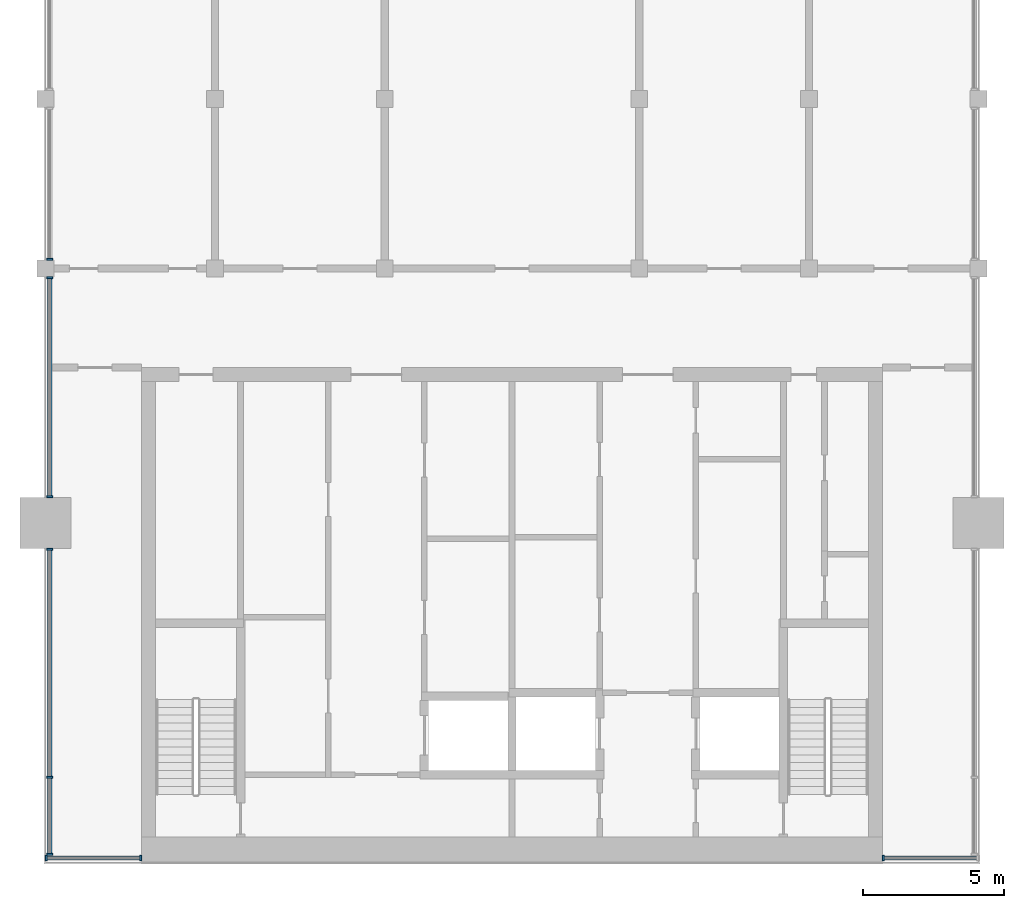
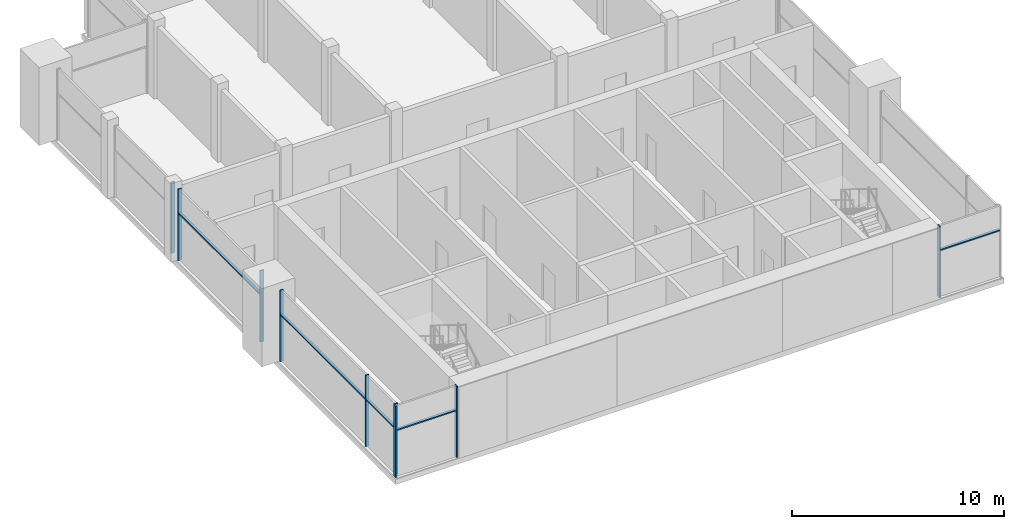
# One storey, part 2 of 9: 14 members, 5 elements without a shape of their own.
"""IFC4 building model written with IfcOpenShell, lengths in metres."""

from ifc_helpers import new_model, si_unit, direction, frame, origin, origin_2d, place, context, subcontext, project, spatial, rectangle, extrude, material, material_profile, profile_set, type_object, element, aggregate, save


model = new_model("IFC4")

# Units and contexts
model_context = context("Model", 3, precision=1e-05, world=origin(), true_north=direction((0.0, 1.0)))
body_context = subcontext(model_context, "Body", "Model", "MODEL_VIEW")
ifc_project = project(units=[si_unit("LENGTHUNIT", "METRE"), si_unit("AREAUNIT", "SQUARE_METRE"), si_unit("VOLUMEUNIT", "CUBIC_METRE"), si_unit("PLANEANGLEUNIT", "RADIAN"), si_unit("MASSUNIT", "GRAM", prefix="KILO")], contexts=[model_context])

# Site, building, storey
site_placement = place(None, origin())
site = spatial("IfcSite", under=ifc_project, at=site_placement, CompositionType="ELEMENT")
building_placement = place(site_placement, origin())
building = spatial("IfcBuilding", under=site, at=building_placement, Name="Finial Court Residences", CompositionType="ELEMENT")
storey_placement = place(building_placement, frame((0.0, 0.0, 307.699951171875)))
storey = spatial("IfcBuildingStorey", under=building, at=storey_placement, Name="L78", CompositionType="ELEMENT", Elevation=307.699951171875)

# Curtain wall, members
ifc_material = material(Name="Bronze anodised aluminium", Category="aluminium")
curtain_wall_type = type_object("IfcCurtainWallType", Name="Crown lantern glazing", PredefinedType="NOTDEFINED", material=ifc_material)
curtain_wall_1_placement = place(storey_placement, origin())
curtain_wall_1 = element("IfcCurtainWall", 1, at=curtain_wall_1_placement, inside=storey, type_object=curtain_wall_type, Name="E-L78-CW-S3", PredefinedType="NOTDEFINED")
ifc_material_profile_1 = material_profile(ifc_material, rectangle(XDim=0.199951171875, YDim=0.070068359375, at=origin_2d()), Name="CW6 mullion 70 x 200")
ifc_profile_set_1 = profile_set([ifc_material_profile_1], Name="Bronze anodised aluminium")
member_type_1 = type_object("IfcMemberType", Name="CW6 mullion 70 x 200", PredefinedType="MULLION", material=ifc_profile_set_1)
member_1_placement = place(storey_placement, frame((-16.465087890625, -25.35009765625, 0.0), z_axis=(0.0, 0.0, 1.0), x_axis=(0.0, 1.0, 0.0)))
member_1 = element("IfcMember", 2, at=member_1_placement, type_object=member_type_1, Name="CW6 mullion 1", PredefinedType="MULLION", context=body_context, shape_type="SweptSolid", body=[
    extrude(rectangle(XDim=0.199951171875, YDim=0.070068359375, at=origin_2d()), origin(), (0.0, 0.0, 1.0), 4.10009765625),
])
member_2_placement = place(storey_placement, frame((-13.135009765625, -25.35009765625, 0.0), z_axis=(0.0, 0.0, 1.0), x_axis=(0.0, 1.0, 0.0)))
member_2 = element("IfcMember", 3, at=member_2_placement, type_object=member_type_1, Name="CW6 mullion 2", PredefinedType="MULLION", context=body_context, shape_type="SweptSolid", body=[
    extrude(rectangle(XDim=0.199951171875, YDim=0.070068359375, at=origin_2d()), origin(), (0.0, 0.0, 1.0), 4.10009765625),
])

# Curtain wall, member
curtain_wall_2_placement = place(storey_placement, origin())
curtain_wall_2 = element("IfcCurtainWall", 4, at=curtain_wall_2_placement, inside=storey, type_object=curtain_wall_type, Name="E-L78-CW-S4", PredefinedType="NOTDEFINED")
member_3_placement = place(storey_placement, frame((13.135009765625, -25.35009765625, 0.0), z_axis=(0.0, 0.0, 1.0), x_axis=(0.0, 1.0, 0.0)))
member_3 = element("IfcMember", 5, at=member_3_placement, type_object=member_type_1, Name="CW6 mullion 1", PredefinedType="MULLION", context=body_context, shape_type="SweptSolid", body=[
    extrude(rectangle(XDim=0.199951171875, YDim=0.070068359375, at=origin_2d()), origin(), (0.0, 0.0, 1.0), 4.10009765625),
])

# Curtain wall, members
curtain_wall_3_placement = place(storey_placement, origin())
curtain_wall_3 = element("IfcCurtainWall", 6, at=curtain_wall_3_placement, inside=storey, type_object=curtain_wall_type, Name="E-L78-CW-W5c1", PredefinedType="NOTDEFINED")
member_4_placement = place(storey_placement, frame((-16.35009765625, -25.215087890625, 0.0), z_axis=(0.0, 0.0, 1.0), x_axis=(-1.0, 0.0, 0.0)))
member_4 = element("IfcMember", 7, at=member_4_placement, type_object=member_type_1, Name="CW6 mullion 1", PredefinedType="MULLION", context=body_context, shape_type="SweptSolid", body=[
    extrude(rectangle(XDim=0.199951171875, YDim=0.070068359375, at=origin_2d()), origin(), (0.0, 0.0, 1.0), 4.10009765625),
])
member_5_placement = place(storey_placement, frame((-16.35009765625, -22.5, 0.0), z_axis=(0.0, 0.0, 1.0), x_axis=(-1.0, 0.0, 0.0)))
member_5 = element("IfcMember", 8, at=member_5_placement, type_object=member_type_1, Name="CW6 mullion 2", PredefinedType="MULLION", context=body_context, shape_type="SweptSolid", body=[
    extrude(rectangle(XDim=0.199951171875, YDim=0.070068359375, at=origin_2d()), origin(), (0.0, 0.0, 1.0), 4.10009765625),
])
member_6_placement = place(storey_placement, frame((-16.35009765625, -14.43505859375, 0.0), z_axis=(0.0, 0.0, 1.0), x_axis=(-1.0, 0.0, 0.0)))
member_6 = element("IfcMember", 9, at=member_6_placement, type_object=member_type_1, Name="CW6 mullion 3", PredefinedType="MULLION", context=body_context, shape_type="SweptSolid", body=[
    extrude(rectangle(XDim=0.199951171875, YDim=0.070068359375, at=origin_2d()), origin(), (0.0, 0.0, 1.0), 4.10009765625),
])

curtain_wall_4_placement = place(storey_placement, origin())
curtain_wall_4 = element("IfcCurtainWall", 10, at=curtain_wall_4_placement, inside=storey, type_object=curtain_wall_type, Name="E-L78-CW-W5c2", PredefinedType="NOTDEFINED")
member_7_placement = place(storey_placement, frame((-16.35009765625, -12.56494140625, 0.0), z_axis=(0.0, 0.0, 1.0), x_axis=(-1.0, 0.0, 0.0)))
member_7 = element("IfcMember", 11, at=member_7_placement, type_object=member_type_1, Name="CW6 mullion 1", PredefinedType="MULLION", context=body_context, shape_type="SweptSolid", body=[
    extrude(rectangle(XDim=0.199951171875, YDim=0.070068359375, at=origin_2d()), origin(), (0.0, 0.0, 1.0), 4.10009765625),
])
member_8_placement = place(storey_placement, frame((-16.35009765625, -4.8349609375, 0.0), z_axis=(0.0, 0.0, 1.0), x_axis=(-1.0, 0.0, 0.0)))
member_8 = element("IfcMember", 12, at=member_8_placement, type_object=member_type_1, Name="CW6 mullion 2", PredefinedType="MULLION", context=body_context, shape_type="SweptSolid", body=[
    extrude(rectangle(XDim=0.199951171875, YDim=0.070068359375, at=origin_2d()), origin(), (0.0, 0.0, 1.0), 4.10009765625),
])

# Curtain wall, member
curtain_wall_5_placement = place(storey_placement, origin())
curtain_wall_5 = element("IfcCurtainWall", 13, at=curtain_wall_5_placement, inside=storey, type_object=curtain_wall_type, Name="E-L78-CW-W5c3", PredefinedType="NOTDEFINED")
member_9_placement = place(storey_placement, frame((-16.35009765625, -4.1650390625, 0.0), z_axis=(0.0, 0.0, 1.0), x_axis=(-1.0, 0.0, 0.0)))
member_9 = element("IfcMember", 14, at=member_9_placement, type_object=member_type_1, Name="CW6 mullion 1", PredefinedType="MULLION", context=body_context, shape_type="SweptSolid", body=[
    extrude(rectangle(XDim=0.199951171875, YDim=0.070068359375, at=origin_2d()), origin(), (0.0, 0.0, 1.0), 4.10009765625),
])
aggregate(curtain_wall_5, [member_9])

# Member
ifc_material_profile_2 = material_profile(ifc_material, rectangle(XDim=0.14990234375, YDim=0.070068359375, at=origin_2d()), Name="CW6 transom 70 x 150")
ifc_profile_set_2 = profile_set([ifc_material_profile_2], Name="Bronze anodised aluminium")
member_type_2 = type_object("IfcMemberType", Name="CW6 transom 70 x 150", PredefinedType="USERDEFINED", material=ifc_profile_set_2)
member_10_placement = place(storey_placement, frame((-16.429931640625, -25.35009765625, 2.699951171875), z_axis=(1.0, 0.0, 0.0), x_axis=(0.0, 1.0, 0.0)))
member_10 = element("IfcMember", 15, at=member_10_placement, type_object=member_type_2, Name="CW6 transom 1.1", ObjectType="TRANSOM", PredefinedType="USERDEFINED", context=body_context, shape_type="SweptSolid", body=[
    extrude(rectangle(XDim=0.14990234375, YDim=0.070068359375, at=origin_2d()), origin(), (0.0, 0.0, 1.0), 3.260009765625),
])

aggregate(curtain_wall_1, [member_1, member_2, member_10])

member_11_placement = place(storey_placement, frame((13.169921875, -25.35009765625, 2.699951171875), z_axis=(1.0, 0.0, 0.0), x_axis=(0.0, 1.0, 0.0)))
member_11 = element("IfcMember", 16, at=member_11_placement, type_object=member_type_2, Name="CW6 transom 1.1", ObjectType="TRANSOM", PredefinedType="USERDEFINED", context=body_context, shape_type="SweptSolid", body=[
    extrude(rectangle(XDim=0.14990234375, YDim=0.070068359375, at=origin_2d()), origin(), (0.0, 0.0, 1.0), 3.260009765625),
])

aggregate(curtain_wall_2, [member_3, member_11])

member_12_placement = place(storey_placement, frame((-16.35009765625, -25.179931640625, 2.699951171875), z_axis=(0.0, 1.0, 0.0), x_axis=(-1.0, 0.0, 0.0)))
member_12 = element("IfcMember", 17, at=member_12_placement, type_object=member_type_2, Name="CW6 transom 1.1", ObjectType="TRANSOM", PredefinedType="USERDEFINED", context=body_context, shape_type="SweptSolid", body=[
    extrude(rectangle(XDim=0.14990234375, YDim=0.070068359375, at=origin_2d()), origin(), (0.0, 0.0, 1.0), 2.64501953125),
])

member_13_placement = place(storey_placement, frame((-16.35009765625, -22.465087890625, 2.699951171875), z_axis=(0.0, 1.0, 0.0), x_axis=(-1.0, 0.0, 0.0)))
member_13 = element("IfcMember", 18, at=member_13_placement, type_object=member_type_2, Name="CW6 transom 2.1", ObjectType="TRANSOM", PredefinedType="USERDEFINED", context=body_context, shape_type="SweptSolid", body=[
    extrude(rectangle(XDim=0.14990234375, YDim=0.070068359375, at=origin_2d()), origin(), (0.0, 0.0, 1.0), 7.9951171875),
])

aggregate(curtain_wall_3, [member_4, member_5, member_6, member_12, member_13])

member_14_placement = place(storey_placement, frame((-16.35009765625, -12.530029296875, 2.699951171875), z_axis=(0.0, 1.0, 0.0), x_axis=(-1.0, 0.0, 0.0)))
member_14 = element("IfcMember", 19, at=member_14_placement, type_object=member_type_2, Name="CW6 transom 1.1", ObjectType="TRANSOM", PredefinedType="USERDEFINED", context=body_context, shape_type="SweptSolid", body=[
    extrude(rectangle(XDim=0.14990234375, YDim=0.070068359375, at=origin_2d()), origin(), (0.0, 0.0, 1.0), 7.659912109375),
])

aggregate(curtain_wall_4, [member_7, member_8, member_14])

save(model, "model.ifc")
